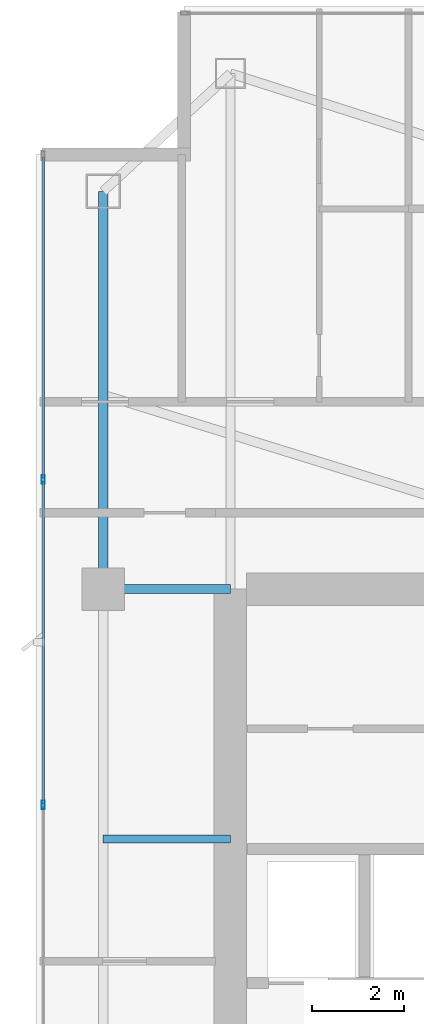
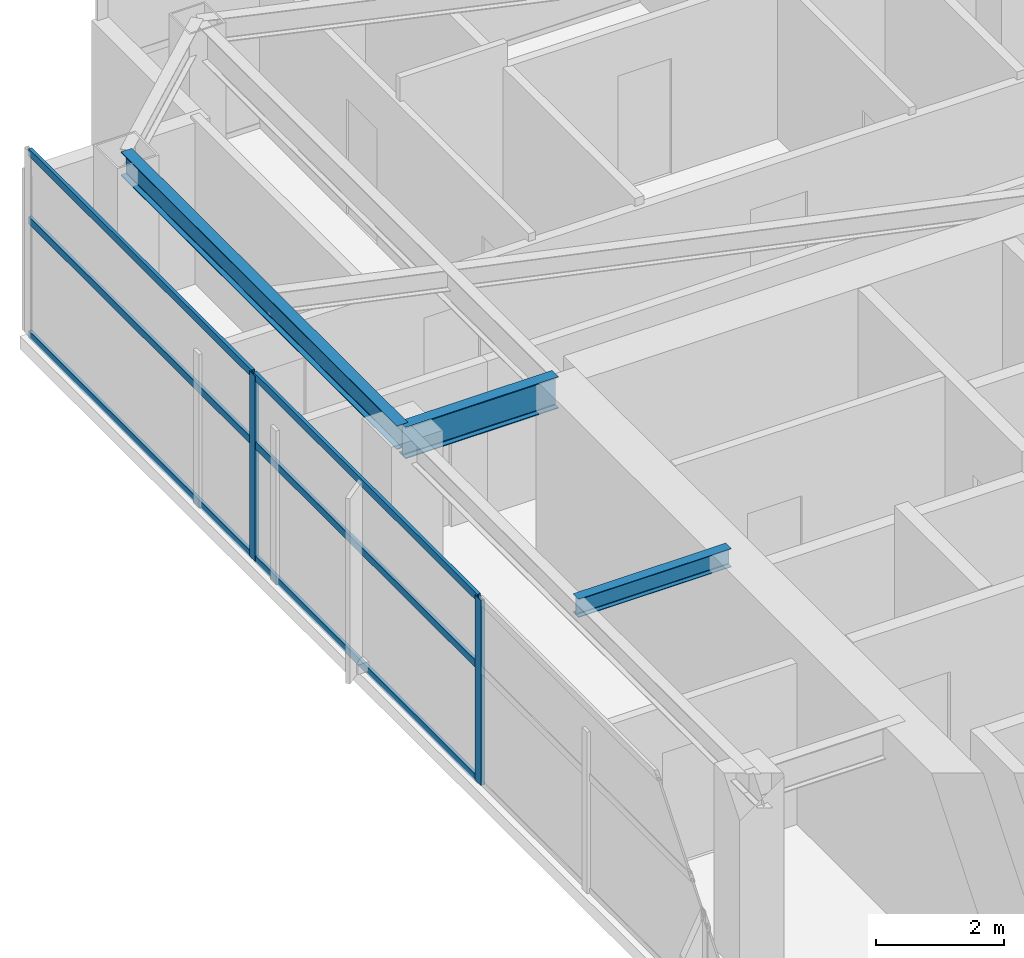
# One storey, part 15 of 27: 8 members, 3 beams, 1 element without a shape of its own.
"""IFC4 building model written with IfcOpenShell, lengths in metres."""

from ifc_helpers import new_model, si_unit, direction, frame, origin, origin_2d, place, context, subcontext, project, spatial, hollow_rectangle, i_section, extrude, material, layer, layer_set, material_profile, profile_set, type_object, element, aggregate, save


model = new_model("IFC4")

# Units and contexts
model_context = context("Model", 3, precision=1e-05, world=origin(), true_north=direction((0.0, 1.0)))
body_context = subcontext(model_context, "Body", "Model", "MODEL_VIEW")
ifc_project = project(units=[si_unit("LENGTHUNIT", "METRE"), si_unit("AREAUNIT", "SQUARE_METRE"), si_unit("VOLUMEUNIT", "CUBIC_METRE"), si_unit("PLANEANGLEUNIT", "RADIAN"), si_unit("MASSUNIT", "GRAM", prefix="KILO")], contexts=[model_context])

# Site, building, storey
site_placement = place(None, origin())
site = spatial("IfcSite", under=ifc_project, at=site_placement, CompositionType="ELEMENT")
building_placement = place(site_placement, origin())
building = spatial("IfcBuilding", under=site, at=building_placement, Name="Calvorn Quay Hotel", CompositionType="ELEMENT")
storey_placement = place(building_placement, frame((0.0, 0.0, 230.699951171875)))
storey = spatial("IfcBuildingStorey", under=building, at=storey_placement, Name="L57", CompositionType="ELEMENT", Elevation=230.699951171875)

# Beams
ifc_material_1 = material(Name="Steel Q355B", Category="steel")
ifc_material_profile_1 = material_profile(ifc_material_1, i_section(OverallWidth=0.199951171875, OverallDepth=0.60009765625, WebThickness=0.010986328125, FlangeThickness=0.01708984375, FilletRadius=0.01806640625, at=origin_2d()), Name="HN600x200x11x17")
ifc_profile_set_1 = profile_set([ifc_material_profile_1], Name="Steel Q355B")
beam_type_1 = type_object("IfcBeamType", Name="BM-GIRD-TYP", PredefinedType="BEAM", material=ifc_profile_set_1)
beam_1_placement = place(storey_placement, frame((1.449951171875, 38.39990234375, 3.219970703125), z_axis=(1.0, 0.0, 0.0), x_axis=(0.0, 1.0, 0.0)))
element("IfcBeam", 1, at=beam_1_placement, inside=storey, type_object=beam_type_1, Name="Beam BG-L57-W3", PredefinedType="BEAM", context=body_context, shape_type="SweptSolid", body=[
    extrude(i_section(OverallWidth=0.199951171875, OverallDepth=0.60009765625, WebThickness=0.010986328125, FlangeThickness=0.01708984375, FilletRadius=0.01806640625, at=origin_2d()), origin(), (0.0, 0.0, 1.0), 2.75),
])
ifc_material_2 = material(Name="Steel Q355B", Category="steel")
ifc_material_profile_2 = material_profile(ifc_material_2, i_section(OverallWidth=0.175048828125, OverallDepth=0.35009765625, WebThickness=0.007080078125, FlangeThickness=0.010986328125, FilletRadius=0.013916015625, at=origin_2d()), Name="HN350x175x7x11")
ifc_profile_set_2 = profile_set([ifc_material_profile_2], Name="Steel Q355B")
beam_type_2 = type_object("IfcBeamType", Name="BM-JOIST-SEC", PredefinedType="JOIST", material=ifc_profile_set_2)
beam_2_placement = place(storey_placement, frame((1.449951171875, 33.0, 3.344970703125), z_axis=(1.0, 0.0, 0.0), x_axis=(0.0, 1.0, 0.0)))
element("IfcBeam", 2, at=beam_2_placement, inside=storey, type_object=beam_type_2, Name="Beam BJ-L57-W4", PredefinedType="JOIST", context=body_context, shape_type="SweptSolid", body=[
    extrude(i_section(OverallWidth=0.175048828125, OverallDepth=0.35009765625, WebThickness=0.007080078125, FlangeThickness=0.010986328125, FilletRadius=0.013916015625, at=origin_2d()), origin(), (0.0, 0.0, 1.0), 2.75),
])
ifc_material_3 = material(Name="Steel Q355B", Category="steel")
ifc_material_profile_3 = material_profile(ifc_material_3, i_section(OverallWidth=0.199951171875, OverallDepth=0.449951171875, WebThickness=0.009033203125, FlangeThickness=0.013916015625, FilletRadius=0.01611328125, at=origin_2d()), Name="HN450x200x9x14")
ifc_profile_set_3 = profile_set([ifc_material_profile_3], Name="Steel Q355B")
beam_type_3 = type_object("IfcBeamType", Name="BM-SPANDREL-Z3", PredefinedType="SPANDREL", material=ifc_profile_set_3)
beam_3_placement = place(storey_placement, frame((1.449951171875, 38.39990234375, 3.295166015625), z_axis=(0.0, 1.0, 0.0), x_axis=(-1.0, 0.0, 0.0)))
element("IfcBeam", 3, at=beam_3_placement, inside=storey, type_object=beam_type_3, Name="Beam BSP-L57-W4", PredefinedType="SPANDREL", context=body_context, shape_type="SweptSolid", body=[
    extrude(i_section(OverallWidth=0.199951171875, OverallDepth=0.449951171875, WebThickness=0.009033203125, FlangeThickness=0.013916015625, FilletRadius=0.01611328125, at=origin_2d()), origin(), (0.0, 0.0, 1.0), 8.60009765625),
])

# Curtain wall, members
ifc_material_4 = material(Name="Champagne Bronze Anodised Aluminium and Low-E Glass", Category="aluminium")
ifc_layer = layer(ifc_material_4, 0.219970703125)
ifc_layer_set = layer_set([ifc_layer], Name="CW-SYS-Z3")
curtain_wall_type = type_object("IfcCurtainWallType", Name="CW-SYS-Z3", PredefinedType="NOTDEFINED", material=ifc_layer_set)
curtain_wall_placement = place(storey_placement, origin())
curtain_wall = element("IfcCurtainWall", 4, at=curtain_wall_placement, inside=storey, type_object=curtain_wall_type, Name="Tower West Curtain Wall (L57)", PredefinedType="NOTDEFINED")
ifc_material_5 = material(Name="Champagne Bronze Anodised Aluminium 6063-T6", Category="aluminium")
ifc_material_profile_4 = material_profile(ifc_material_5, hollow_rectangle(XDim=0.068115234375, YDim=0.18505859375, WallThickness=0.00390625, at=origin_2d()), Name="ALU-M185x68x4")
ifc_profile_set_4 = profile_set([ifc_material_profile_4], Name="Champagne Bronze Anodised Aluminium 6063-T6")
member_type_1 = type_object("IfcMemberType", Name="CW-SYS-Z3-MUL", PredefinedType="MULLION", material=ifc_profile_set_4)
member_1_placement = place(storey_placement, frame((0.14990234375, 33.7333984375, 0.0), z_axis=(0.0, 0.0, 1.0), x_axis=(-1.0, 0.0, 0.0)))
member_1 = element("IfcMember", 5, at=member_1_placement, type_object=member_type_1, Name="CW-L57-W mullion 5", PredefinedType="MULLION", context=body_context, shape_type="SweptSolid", body=[
    extrude(hollow_rectangle(XDim=0.068115234375, YDim=0.18505859375, WallThickness=0.00390625, at=origin_2d()), origin(), (0.0, 0.0, 1.0), 3.52001953125),
])
member_2_placement = place(storey_placement, frame((0.14990234375, 40.7666015625, 0.0), z_axis=(0.0, 0.0, 1.0), x_axis=(-1.0, 0.0, 0.0)))
member_2 = element("IfcMember", 6, at=member_2_placement, type_object=member_type_1, Name="CW-L57-W mullion 6", PredefinedType="MULLION", context=body_context, shape_type="SweptSolid", body=[
    extrude(hollow_rectangle(XDim=0.068115234375, YDim=0.18505859375, WallThickness=0.00390625, at=origin_2d()), origin(), (0.0, 0.0, 1.0), 3.52001953125),
])
ifc_material_6 = material(Name="Champagne Bronze Anodised Aluminium 6063-T6", Category="aluminium")
ifc_material_profile_5 = material_profile(ifc_material_6, hollow_rectangle(XDim=0.05810546875, YDim=0.139892578125, WallThickness=0.003173828125, at=origin_2d()), Name="ALU-T140x58x3.2")
ifc_profile_set_5 = profile_set([ifc_material_profile_5], Name="Champagne Bronze Anodised Aluminium 6063-T6")
member_type_2 = type_object("IfcMemberType", Name="CW-SYS-Z3-TRN", PredefinedType="USERDEFINED", material=ifc_profile_set_5)
member_3_placement = place(storey_placement, frame((0.14990234375, 33.763427734375, 0.030029296875), z_axis=(0.0, 1.0, 0.0), x_axis=(-1.0, 0.0, 0.0)))
member_3 = element("IfcMember", 7, at=member_3_placement, type_object=member_type_2, Name="CW-L57-W transom 5.1", ObjectType="TRANSOM", PredefinedType="USERDEFINED", context=body_context, shape_type="SweptSolid", body=[
    extrude(hollow_rectangle(XDim=0.05810546875, YDim=0.139892578125, WallThickness=0.003173828125, at=origin_2d()), origin(), (0.0, 0.0, 1.0), 6.97314453125),
])
member_4_placement = place(storey_placement, frame((0.14990234375, 33.763427734375, 2.199951171875), z_axis=(0.0, 1.0, 0.0), x_axis=(-1.0, 0.0, 0.0)))
member_4 = element("IfcMember", 8, at=member_4_placement, type_object=member_type_2, Name="CW-L57-W transom 5.2", ObjectType="TRANSOM", PredefinedType="USERDEFINED", context=body_context, shape_type="SweptSolid", body=[
    extrude(hollow_rectangle(XDim=0.05810546875, YDim=0.139892578125, WallThickness=0.003173828125, at=origin_2d()), origin(), (0.0, 0.0, 1.0), 6.97314453125),
])
member_5_placement = place(storey_placement, frame((0.14990234375, 33.763427734375, 3.489990234375), z_axis=(0.0, 1.0, 0.0), x_axis=(-1.0, 0.0, 0.0)))
member_5 = element("IfcMember", 9, at=member_5_placement, type_object=member_type_2, Name="CW-L57-W transom 5.3", ObjectType="TRANSOM", PredefinedType="USERDEFINED", context=body_context, shape_type="SweptSolid", body=[
    extrude(hollow_rectangle(XDim=0.05810546875, YDim=0.139892578125, WallThickness=0.003173828125, at=origin_2d()), origin(), (0.0, 0.0, 1.0), 6.97314453125),
])
member_6_placement = place(storey_placement, frame((0.14990234375, 40.796630859375, 0.030029296875), z_axis=(0.0, 1.0, 0.0), x_axis=(-1.0, 0.0, 0.0)))
member_6 = element("IfcMember", 10, at=member_6_placement, type_object=member_type_2, Name="CW-L57-W transom 6.1", ObjectType="TRANSOM", PredefinedType="USERDEFINED", context=body_context, shape_type="SweptSolid", body=[
    extrude(hollow_rectangle(XDim=0.05810546875, YDim=0.139892578125, WallThickness=0.003173828125, at=origin_2d()), origin(), (0.0, 0.0, 1.0), 6.943359375),
])
member_7_placement = place(storey_placement, frame((0.14990234375, 40.796630859375, 2.199951171875), z_axis=(0.0, 1.0, 0.0), x_axis=(-1.0, 0.0, 0.0)))
member_7 = element("IfcMember", 11, at=member_7_placement, type_object=member_type_2, Name="CW-L57-W transom 6.2", ObjectType="TRANSOM", PredefinedType="USERDEFINED", context=body_context, shape_type="SweptSolid", body=[
    extrude(hollow_rectangle(XDim=0.05810546875, YDim=0.139892578125, WallThickness=0.003173828125, at=origin_2d()), origin(), (0.0, 0.0, 1.0), 6.943359375),
])
member_8_placement = place(storey_placement, frame((0.14990234375, 40.796630859375, 3.489990234375), z_axis=(0.0, 1.0, 0.0), x_axis=(-1.0, 0.0, 0.0)))
member_8 = element("IfcMember", 12, at=member_8_placement, type_object=member_type_2, Name="CW-L57-W transom 6.3", ObjectType="TRANSOM", PredefinedType="USERDEFINED", context=body_context, shape_type="SweptSolid", body=[
    extrude(hollow_rectangle(XDim=0.05810546875, YDim=0.139892578125, WallThickness=0.003173828125, at=origin_2d()), origin(), (0.0, 0.0, 1.0), 6.943359375),
])
aggregate(curtain_wall, [member_1, member_2, member_3, member_4, member_5, member_6, member_7, member_8])

save(model, "model.ifc")
